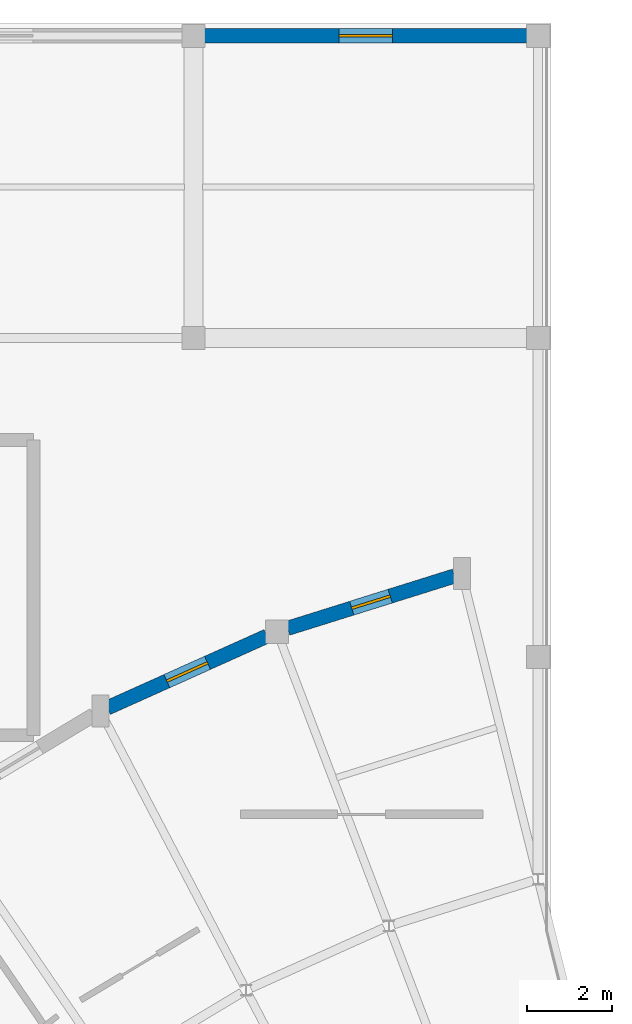
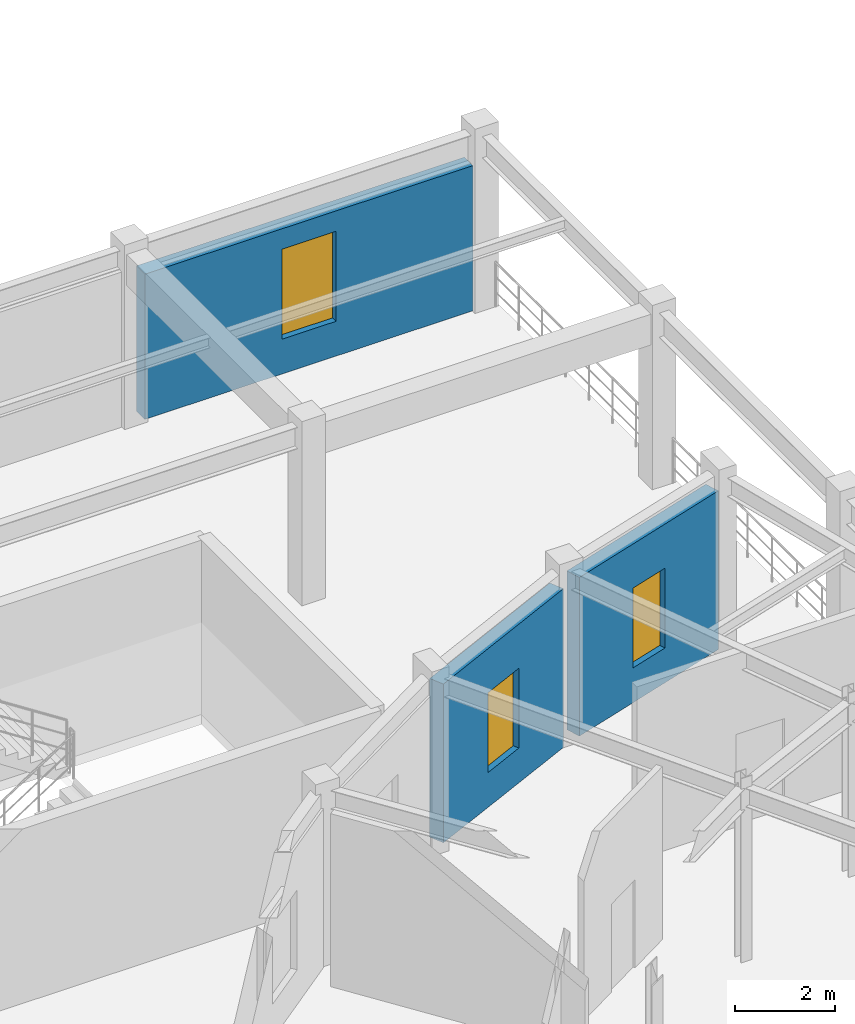
# One storey, part 88 of 112: 3 walls, 3 windows, 3 openings.
"""IFC4 building model written with IfcOpenShell, lengths in metres."""

from ifc_helpers import new_model, si_unit, direction, frame, frame_2d, origin, place, context, subcontext, project, spatial, rectangle, extrude, material, layer, layer_set, type_object, element, fill, save


model = new_model("IFC4")

# Units and contexts
model_context = context("Model", 3, precision=1e-05, world=origin(), true_north=direction((0.0, 1.0)))
body_context = subcontext(model_context, "Body", "Model", "MODEL_VIEW")
ifc_project = project(units=[si_unit("LENGTHUNIT", "METRE"), si_unit("AREAUNIT", "SQUARE_METRE"), si_unit("VOLUMEUNIT", "CUBIC_METRE"), si_unit("PLANEANGLEUNIT", "RADIAN"), si_unit("MASSUNIT", "GRAM", prefix="KILO")], contexts=[model_context])

# Site, building, storey
site_placement = place(None, origin())
site = spatial("IfcSite", under=ifc_project, at=site_placement, CompositionType="ELEMENT")
building_placement = place(site_placement, origin())
building = spatial("IfcBuilding", under=site, at=building_placement, Name="Cinderbank Siding Concert Hall", CompositionType="ELEMENT")
storey_placement = place(building_placement, frame((0.0, 0.0, 10.199951171875)))
storey = spatial("IfcBuildingStorey", under=building, at=storey_placement, Name="L03", CompositionType="ELEMENT", Elevation=10.199951171875)

# Wall, opening, window
ifc_material_1 = material(Name="Clinker clay brickwork masonry AS 3700 (20 MPa)", Category="masonry")
ifc_layer = layer(ifc_material_1, 0.340087890625)
ifc_layer_set = layer_set([ifc_layer], Name="Clinker clay brickwork masonry AS 3700 (20 MPa)")
wall_type = type_object("IfcWallType", Name="WL-07 Exterior Wall 340mm", PredefinedType="STANDARD", material=ifc_layer_set)
wall_1_placement = place(storey_placement, frame((46.53369140625, 105.2041015625, 0.0), z_axis=(0.0, 0.0, 1.0), x_axis=(-0.954237600376, -0.299049497622, 0.0)))
wall_1 = element("IfcWall", 1, at=wall_1_placement, inside=storey, type_object=wall_type, Name="L03 Facade Wall EW-WOUT-L03-01", PredefinedType="STANDARD", context=body_context, shape_type="SweptSolid", body=[
    extrude(rectangle(XDim=4.109619140625, YDim=0.340087890625, at=frame_2d((2.0546875, 0.0))), origin(), (0.0, 0.0, 1.0), 3.876953125),
])
opening_1_placement = place(wall_1_placement, frame((1.579833984375, 0.0, 0.85009765625)))
opening_1 = element("IfcOpeningElement", 2, at=opening_1_placement, cuts=wall_1, Name="Opening WN-10", PredefinedType="OPENING", context=body_context, shape_type="SweptSolid", body=[
    extrude(rectangle(XDim=0.949951171875, YDim=1.949951171875, at=frame_2d((0.47509765625, 0.97509765625))), frame((0.0, 0.18212890625, 0.0), z_axis=(0.0, -1.0, 0.0), x_axis=(1.0, 0.0, 0.0)), (0.0, 0.0, 1.0), 0.364013671875),
])
ifc_material_2 = material(Name="Double-glazed laminated acoustic glass", Category="glass")
window_type_1 = type_object("IfcWindowType", Name="WN-10 Acoustic Casement Window 950x1950", PartitioningType="DOUBLE_PANEL_VERTICAL", PredefinedType="WINDOW", material=ifc_material_2)
window_1_placement = place(opening_1_placement, origin())
window_1 = element("IfcWindow", 3, at=window_1_placement, inside=storey, type_object=window_type_1, Name="L03 Facade Window #26", OverallHeight=1.949951171875, OverallWidth=0.949951171875, PartitioningType="DOUBLE_PANEL_VERTICAL", PredefinedType="WINDOW", context=body_context, shape_type="SweptSolid", body=[
    extrude(rectangle(XDim=0.949951171875, YDim=1.949951171875, at=frame_2d((0.47509765625, 0.97509765625))), frame((0.0, 0.030029296875, 0.0), z_axis=(0.0, -1.0, 0.0), x_axis=(1.0, 0.0, 0.0)), (0.0, 0.0, 1.0), 0.06005859375),
])
fill(opening_1, window_1)

wall_2_placement = place(storey_placement, frame((42.126708984375, 103.790771484375, 0.0), z_axis=(0.0, 0.0, 1.0), x_axis=(-0.912105926967, -0.409954604794, 0.0)))
wall_2 = element("IfcWall", 4, at=wall_2_placement, inside=storey, type_object=wall_type, Name="L03 Facade Wall EW-WOUT-L03-02", PredefinedType="STANDARD", context=body_context, shape_type="SweptSolid", body=[
    extrude(rectangle(XDim=4.10986328125, YDim=0.340087890625, at=frame_2d((2.054931640625, 0.0))), origin(), (0.0, 0.0, 1.0), 3.876953125),
])
opening_2_placement = place(wall_2_placement, frame((1.52978515625, 0.0, 0.85009765625)))
opening_2 = element("IfcOpeningElement", 5, at=opening_2_placement, cuts=wall_2, Name="Opening WN-11", PredefinedType="OPENING", context=body_context, shape_type="SweptSolid", body=[
    extrude(rectangle(XDim=1.050048828125, YDim=1.949951171875, at=frame_2d((0.52490234375, 0.97509765625))), frame((0.0, 0.18212890625, 0.0), z_axis=(0.0, -1.0, 0.0), x_axis=(1.0, 0.0, 0.0)), (0.0, 0.0, 1.0), 0.364013671875),
])
window_type_2 = type_object("IfcWindowType", Name="WN-11 Acoustic Casement Window 1050x1950", PartitioningType="DOUBLE_PANEL_VERTICAL", PredefinedType="WINDOW", material=ifc_material_2)
window_2_placement = place(opening_2_placement, origin())
window_2 = element("IfcWindow", 6, at=window_2_placement, inside=storey, type_object=window_type_2, Name="L03 Facade Window #27", OverallHeight=1.949951171875, OverallWidth=1.050048828125, PartitioningType="DOUBLE_PANEL_VERTICAL", PredefinedType="WINDOW", context=body_context, shape_type="SweptSolid", body=[
    extrude(rectangle(XDim=1.050048828125, YDim=1.949951171875, at=frame_2d((0.52490234375, 0.97509765625))), frame((0.0, 0.030029296875, 0.0), z_axis=(0.0, -1.0, 0.0), x_axis=(1.0, 0.0, 0.0)), (0.0, 0.0, 1.0), 0.06005859375),
])
fill(opening_2, window_2)

wall_3_placement = place(storey_placement, frame((40.659912109375, 117.89990234375, 0.0), z_axis=(0.0, 0.0, 1.0), x_axis=(1.0, 0.0, 0.0)))
wall_3 = element("IfcWall", 7, at=wall_3_placement, inside=storey, type_object=wall_type, Name="L03 Facade Wall EW-NW-N3-L03", PredefinedType="STANDARD", context=body_context, shape_type="SweptSolid", body=[
    extrude(rectangle(XDim=7.580078125, YDim=0.340087890625, at=frame_2d((3.7900390625, 0.0))), origin(), (0.0, 0.0, 1.0), 3.547119140625),
])
opening_3_placement = place(wall_3_placement, frame((3.1650390625, 0.0, 0.85009765625)))
opening_3 = element("IfcOpeningElement", 8, at=opening_3_placement, cuts=wall_3, Name="Opening WN-05", PredefinedType="OPENING", context=body_context, shape_type="SweptSolid", body=[
    extrude(rectangle(XDim=1.25, YDim=2.199951171875, at=frame_2d((0.625, 1.10009765625))), frame((0.0, 0.18212890625, 0.0), z_axis=(0.0, -1.0, 0.0), x_axis=(1.0, 0.0, 0.0)), (0.0, 0.0, 1.0), 0.364013671875),
])
window_type_3 = type_object("IfcWindowType", Name="WN-05 Acoustic Casement Window 1250x2200", PartitioningType="DOUBLE_PANEL_VERTICAL", PredefinedType="WINDOW", material=ifc_material_2)
window_3_placement = place(opening_3_placement, origin())
window_3 = element("IfcWindow", 9, at=window_3_placement, inside=storey, type_object=window_type_3, Name="L03 Facade Window #143", OverallHeight=2.199951171875, OverallWidth=1.25, PartitioningType="DOUBLE_PANEL_VERTICAL", PredefinedType="WINDOW", context=body_context, shape_type="SweptSolid", body=[
    extrude(rectangle(XDim=1.25, YDim=2.199951171875, at=frame_2d((0.625, 1.10009765625))), frame((0.0, 0.030029296875, 0.0), z_axis=(0.0, -1.0, 0.0), x_axis=(1.0, 0.0, 0.0)), (0.0, 0.0, 1.0), 0.06005859375),
])
fill(opening_3, window_3)

save(model, "model.ifc")
